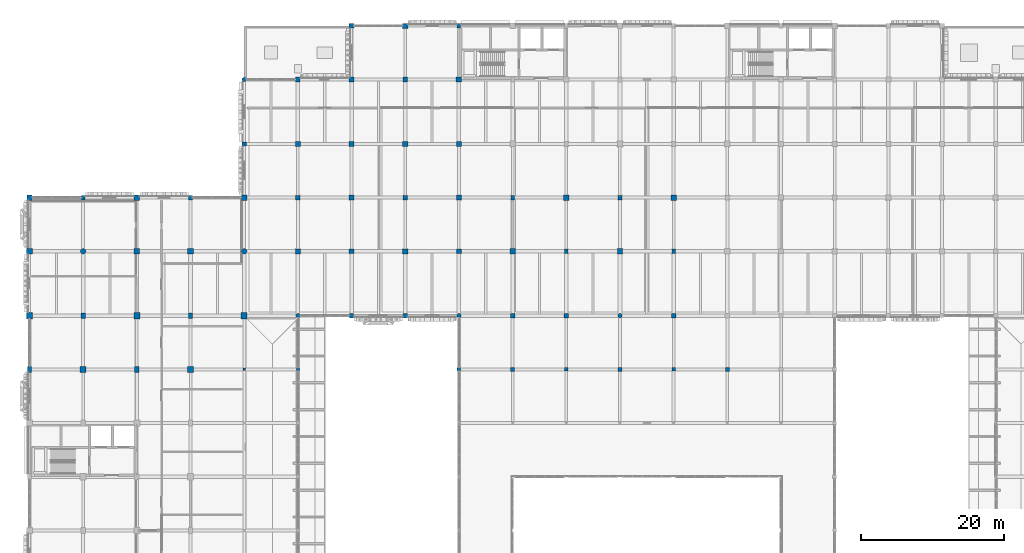
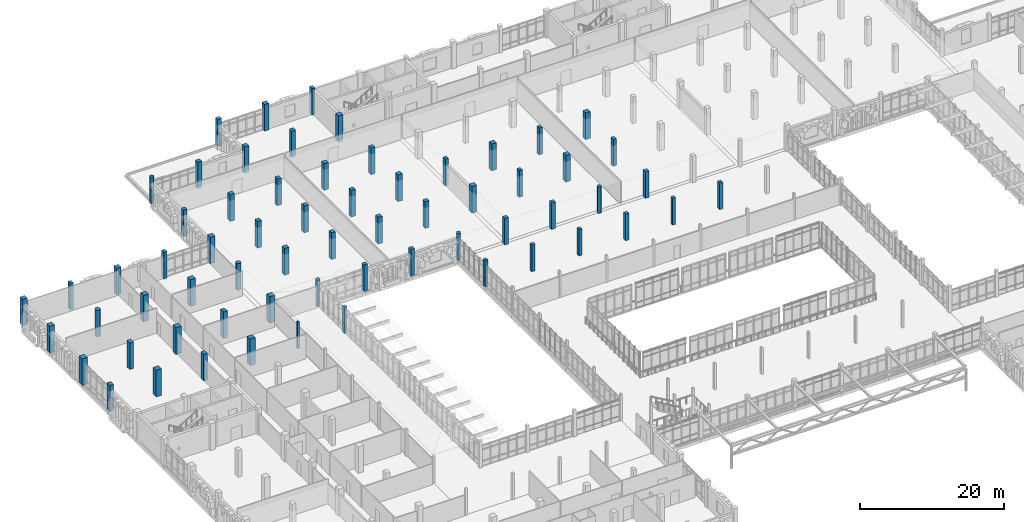
# One storey, part 9 of 128: 64 columns.
"""IFC4 building model written with IfcOpenShell, lengths in metres."""

from ifc_helpers import new_model, si_unit, direction, frame, origin, origin_2d, place, context, subcontext, project, spatial, rectangle, circle, extrude, material, material_profile, profile_set, type_object, element, save


model = new_model("IFC4")

# Units and contexts
model_context = context("Model", 3, precision=1e-05, world=origin(), true_north=direction((0.0, 1.0)))
body_context = subcontext(model_context, "Body", "Model", "MODEL_VIEW")
ifc_project = project(units=[si_unit("LENGTHUNIT", "METRE"), si_unit("AREAUNIT", "SQUARE_METRE"), si_unit("VOLUMEUNIT", "CUBIC_METRE"), si_unit("PLANEANGLEUNIT", "RADIAN"), si_unit("MASSUNIT", "GRAM", prefix="KILO")], contexts=[model_context])

# Site, building, storey
site_placement = place(None, origin())
site = spatial("IfcSite", under=ifc_project, at=site_placement, CompositionType="ELEMENT")
building_placement = place(site_placement, origin())
building = spatial("IfcBuilding", under=site, at=building_placement, Name="Dalvernix Boulevard General Hospital", CompositionType="ELEMENT")
storey_placement = place(building_placement, frame((0.0, 0.0, 4.800048828125)))
storey = spatial("IfcBuildingStorey", under=building, at=storey_placement, Name="L01", CompositionType="ELEMENT", Elevation=4.800048828125)

# Columns
ifc_material_1 = material(Name="Concrete C40/50", Category="concrete")
ifc_material_profile_1 = material_profile(ifc_material_1, rectangle(XDim=0.85009765625, YDim=0.85009765625, at=origin_2d()), Name="RC 850x850")
ifc_profile_set_1 = profile_set([ifc_material_profile_1], Name="Concrete C40/50")
column_type_1 = type_object("IfcColumnType", Name="COL-C-02-E", PredefinedType="COLUMN", material=ifc_profile_set_1)
column_1_placement = place(storey_placement, frame((0.0, 76.5, 0.0), z_axis=(0.0, 0.0, 1.0), x_axis=(1.0, 0.0, 0.0)))
element("IfcColumn", 1, at=column_1_placement, inside=storey, type_object=column_type_1, Name="L01 column 1L", PredefinedType="COLUMN", context=body_context, shape_type="SweptSolid", body=[
    extrude(rectangle(XDim=0.85009765625, YDim=0.85009765625, at=origin_2d()), origin(), (0.0, 0.0, 1.0), 4.5),
])
ifc_material_profile_2 = material_profile(ifc_material_1, rectangle(XDim=0.85009765625, YDim=0.85009765625, at=origin_2d()), Name="RC 850x850")
ifc_profile_set_2 = profile_set([ifc_material_profile_2], Name="Concrete C40/50")
column_type_2 = type_object("IfcColumnType", Name="COL-C-02-I", PredefinedType="COLUMN", material=ifc_profile_set_2)
for number, where, z_axis, x_axis, name in (
    (2, (7.5, 69.0, 0.0), (0.0, 0.0, 1.0), (1.0, 0.0, 0.0), "L01 column 2K"),
    (3, (15.0, 76.5, 0.0), (0.0, 0.0, 1.0), (1.0, 0.0, 0.0), "L01 column 3L"),
    (4, (22.5, 69.0, 0.0), (0.0, 0.0, 1.0), (1.0, 0.0, 0.0), "L01 column 4K"),
    (5, (30.0, 76.5, 0.0), (0.0, 0.0, 1.0), (1.0, 0.0, 0.0), "L01 column 5L"),
):
    element("IfcColumn", number, at=place(storey_placement, frame(where, z_axis=z_axis, x_axis=x_axis)), inside=storey, type_object=column_type_2, Name=name, PredefinedType="COLUMN", context=body_context, shape_type="SweptSolid", body=[
        extrude(rectangle(XDim=0.85009765625, YDim=0.85009765625, at=origin_2d()), origin(), (0.0, 0.0, 1.0), 4.5),
    ])
ifc_material_profile_3 = material_profile(ifc_material_1, rectangle(XDim=0.800048828125, YDim=0.800048828125, at=origin_2d()), Name="RC 800x800")
ifc_profile_set_3 = profile_set([ifc_material_profile_3], Name="Concrete C40/50")
column_type_3 = type_object("IfcColumnType", Name="COL-C-03-E", PredefinedType="COLUMN", material=ifc_profile_set_3)
column_2_placement = place(storey_placement, frame((0.0, 85.5, 0.0), z_axis=(0.0, 0.0, 1.0), x_axis=(1.0, 0.0, 0.0)))
element("IfcColumn", 6, at=column_2_placement, inside=storey, type_object=column_type_3, Name="L01 column 1M", PredefinedType="COLUMN", context=body_context, shape_type="SweptSolid", body=[
    extrude(rectangle(XDim=0.800048828125, YDim=0.800048828125, at=origin_2d()), origin(), (0.0, 0.0, 1.0), 4.5),
])
ifc_material_profile_4 = material_profile(ifc_material_1, rectangle(XDim=0.800048828125, YDim=0.800048828125, at=origin_2d()), Name="RC 800x800")
ifc_profile_set_4 = profile_set([ifc_material_profile_4], Name="Concrete C40/50")
column_type_4 = type_object("IfcColumnType", Name="COL-C-03-I", PredefinedType="COLUMN", material=ifc_profile_set_4)
for number, where, z_axis, x_axis, name in (
    (7, (15.0, 85.5, 0.0), (0.0, 0.0, 1.0), (1.0, 0.0, 0.0), "L01 column 3M"),
    (8, (22.5, 85.5, 0.0), (0.0, 0.0, 1.0), (1.0, 0.0, 0.0), "L01 column 4M"),
):
    element("IfcColumn", number, at=place(storey_placement, frame(where, z_axis=z_axis, x_axis=x_axis)), inside=storey, type_object=column_type_4, Name=name, PredefinedType="COLUMN", context=body_context, shape_type="SweptSolid", body=[
        extrude(rectangle(XDim=0.800048828125, YDim=0.800048828125, at=origin_2d()), origin(), (0.0, 0.0, 1.0), 4.5),
    ])
ifc_material_profile_5 = material_profile(ifc_material_1, rectangle(XDim=0.75, YDim=0.75, at=origin_2d()), Name="RC 750x750")
ifc_profile_set_5 = profile_set([ifc_material_profile_5], Name="Concrete C40/50")
column_type_5 = type_object("IfcColumnType", Name="COL-C-04-E", PredefinedType="COLUMN", material=ifc_profile_set_5)
for number, where, z_axis, x_axis, name in (
    (9, (0.0, 93.0, 0.0), (0.0, 0.0, 1.0), (1.0, 0.0, 0.0), "L01 column 1N"),
    (10, (15.0, 93.0, 0.0), (0.0, 0.0, 1.0), (1.0, 0.0, 0.0), "L01 column 3N"),
    (11, (30.0, 93.0, 0.0), (0.0, 0.0, 1.0), (1.0, 0.0, 0.0), "L01 column 5N"),
):
    element("IfcColumn", number, at=place(storey_placement, frame(where, z_axis=z_axis, x_axis=x_axis)), inside=storey, type_object=column_type_5, Name=name, PredefinedType="COLUMN", context=body_context, shape_type="SweptSolid", body=[
        extrude(rectangle(XDim=0.75, YDim=0.75, at=origin_2d()), origin(), (0.0, 0.0, 1.0), 4.5),
    ])
ifc_material_profile_6 = material_profile(ifc_material_1, rectangle(XDim=0.75, YDim=0.75, at=origin_2d()), Name="RC 750x750")
ifc_profile_set_6 = profile_set([ifc_material_profile_6], Name="Concrete C40/50")
column_type_6 = type_object("IfcColumnType", Name="COL-C-04-I", PredefinedType="COLUMN", material=ifc_profile_set_6)
for number, where, z_axis, x_axis, name in (
    (12, (60.0, 109.5, 0.0), (0.0, 0.0, 1.0), (1.0, 0.0, 0.0), "L01 column 9Q"),
    (13, (67.5, 85.5, 0.0), (0.0, 0.0, 1.0), (1.0, 0.0, 0.0), "L01 column 10M"),
    (14, (75.0, 93.0, 0.0), (0.0, 0.0, 1.0), (1.0, 0.0, 0.0), "L01 column 11N"),
    (15, (82.5, 85.5, 0.0), (0.0, 0.0, 1.0), (1.0, 0.0, 0.0), "L01 column 12M"),
    (16, (90.0, 93.0, 0.0), (0.0, 0.0, 1.0), (1.0, 0.0, 0.0), "L01 column 13N"),
):
    element("IfcColumn", number, at=place(storey_placement, frame(where, z_axis=z_axis, x_axis=x_axis)), inside=storey, type_object=column_type_6, Name=name, PredefinedType="COLUMN", context=body_context, shape_type="SweptSolid", body=[
        extrude(rectangle(XDim=0.75, YDim=0.75, at=origin_2d()), origin(), (0.0, 0.0, 1.0), 4.5),
    ])
ifc_material_profile_7 = material_profile(ifc_material_1, rectangle(XDim=0.699951171875, YDim=0.699951171875, at=origin_2d()), Name="RC 700x700")
ifc_profile_set_7 = profile_set([ifc_material_profile_7], Name="Concrete C40/50")
column_type_7 = type_object("IfcColumnType", Name="COL-C-05-E", PredefinedType="COLUMN", material=ifc_profile_set_7)
for number, where, z_axis, x_axis, name in (
    (17, (45.0, 109.5, 0.0), (0.0, 0.0, 1.0), (1.0, 0.0, 0.0), "L01 column 7Q"),
    (18, (52.5, 117.0, 0.0), (0.0, 0.0, 1.0), (1.0, 0.0, 0.0), "L01 column 8R"),
):
    element("IfcColumn", number, at=place(storey_placement, frame(where, z_axis=z_axis, x_axis=x_axis)), inside=storey, type_object=column_type_7, Name=name, PredefinedType="COLUMN", context=body_context, shape_type="SweptSolid", body=[
        extrude(rectangle(XDim=0.699951171875, YDim=0.699951171875, at=origin_2d()), origin(), (0.0, 0.0, 1.0), 4.5),
    ])
ifc_material_profile_8 = material_profile(ifc_material_1, rectangle(XDim=0.699951171875, YDim=0.699951171875, at=origin_2d()), Name="RC 700x700")
ifc_profile_set_8 = profile_set([ifc_material_profile_8], Name="Concrete C40/50")
column_type_8 = type_object("IfcColumnType", Name="COL-C-05-I", PredefinedType="COLUMN", material=ifc_profile_set_8)
for number, where, z_axis, x_axis, name in (
    (19, (37.5, 85.5, 0.0), (0.0, 0.0, 1.0), (1.0, 0.0, 0.0), "L01 column 6M"),
    (20, (37.5, 100.5, 0.0), (0.0, 0.0, 1.0), (1.0, 0.0, 0.0), "L01 column 6P"),
    (21, (45.0, 93.0, 0.0), (0.0, 0.0, 1.0), (1.0, 0.0, 0.0), "L01 column 7N"),
    (22, (52.5, 85.5, 0.0), (0.0, 0.0, 1.0), (1.0, 0.0, 0.0), "L01 column 8M"),
    (23, (52.5, 100.5, 0.0), (0.0, 0.0, 1.0), (1.0, 0.0, 0.0), "L01 column 8P"),
    (24, (60.0, 93.0, 0.0), (0.0, 0.0, 1.0), (1.0, 0.0, 0.0), "L01 column 9N"),
):
    element("IfcColumn", number, at=place(storey_placement, frame(where, z_axis=z_axis, x_axis=x_axis)), inside=storey, type_object=column_type_8, Name=name, PredefinedType="COLUMN", context=body_context, shape_type="SweptSolid", body=[
        extrude(rectangle(XDim=0.699951171875, YDim=0.699951171875, at=origin_2d()), origin(), (0.0, 0.0, 1.0), 4.5),
    ])
ifc_material_profile_9 = material_profile(ifc_material_1, rectangle(XDim=0.64990234375, YDim=0.64990234375, at=origin_2d()), Name="RC 650x650")
ifc_profile_set_9 = profile_set([ifc_material_profile_9], Name="Concrete C40/50")
column_type_9 = type_object("IfcColumnType", Name="COL-C-06-E", PredefinedType="COLUMN", material=ifc_profile_set_9)
for number, where, z_axis, x_axis, name in (
    (25, (37.5, 109.5, 0.0), (0.0, 0.0, 1.0), (1.0, 0.0, 0.0), "L01 column 6Q"),
    (26, (45.0, 117.0, 0.0), (0.0, 0.0, 1.0), (1.0, 0.0, 0.0), "L01 column 7R"),
):
    element("IfcColumn", number, at=place(storey_placement, frame(where, z_axis=z_axis, x_axis=x_axis)), inside=storey, type_object=column_type_9, Name=name, PredefinedType="COLUMN", context=body_context, shape_type="SweptSolid", body=[
        extrude(rectangle(XDim=0.64990234375, YDim=0.64990234375, at=origin_2d()), origin(), (0.0, 0.0, 1.0), 4.5),
    ])
ifc_material_profile_10 = material_profile(ifc_material_1, rectangle(XDim=0.64990234375, YDim=0.64990234375, at=origin_2d()), Name="RC 650x650")
ifc_profile_set_10 = profile_set([ifc_material_profile_10], Name="Concrete C40/50")
column_type_10 = type_object("IfcColumnType", Name="COL-C-06-I", PredefinedType="COLUMN", material=ifc_profile_set_10)
for number, where, z_axis, x_axis, name in (
    (27, (37.5, 93.0, 0.0), (0.0, 0.0, 1.0), (1.0, 0.0, 0.0), "L01 column 6N"),
    (28, (45.0, 85.5, 0.0), (0.0, 0.0, 1.0), (1.0, 0.0, 0.0), "L01 column 7M"),
    (29, (45.0, 100.5, 0.0), (0.0, 0.0, 1.0), (1.0, 0.0, 0.0), "L01 column 7P"),
    (30, (52.5, 93.0, 0.0), (0.0, 0.0, 1.0), (1.0, 0.0, 0.0), "L01 column 8N"),
    (31, (52.5, 109.5, 0.0), (0.0, 0.0, 1.0), (1.0, 0.0, 0.0), "L01 column 8Q"),
    (32, (60.0, 85.5, 0.0), (0.0, 0.0, 1.0), (1.0, 0.0, 0.0), "L01 column 9M"),
    (33, (60.0, 100.5, 0.0), (0.0, 0.0, 1.0), (1.0, 0.0, 0.0), "L01 column 9P"),
):
    element("IfcColumn", number, at=place(storey_placement, frame(where, z_axis=z_axis, x_axis=x_axis)), inside=storey, type_object=column_type_10, Name=name, PredefinedType="COLUMN", context=body_context, shape_type="SweptSolid", body=[
        extrude(rectangle(XDim=0.64990234375, YDim=0.64990234375, at=origin_2d()), origin(), (0.0, 0.0, 1.0), 4.5),
    ])
ifc_material_profile_11 = material_profile(ifc_material_1, rectangle(XDim=0.60009765625, YDim=0.60009765625, at=origin_2d()), Name="RC 600x600")
ifc_profile_set_11 = profile_set([ifc_material_profile_11], Name="Concrete C40/50")
column_type_11 = type_object("IfcColumnType", Name="COL-C-07-E", PredefinedType="COLUMN", material=ifc_profile_set_11)
for number, where, z_axis, x_axis, name in (
    (34, (30.0, 100.5, 0.0), (0.0, 0.0, 1.0), (1.0, 0.0, 0.0), "L01 column 5P"),
    (35, (45.0, 76.5, 0.0), (0.0, 0.0, 1.0), (1.0, 0.0, 0.0), "L01 column 7L"),
    (36, (52.5, 76.5, 0.0), (0.0, 0.0, 1.0), (1.0, 0.0, 0.0), "L01 column 8L"),
):
    element("IfcColumn", number, at=place(storey_placement, frame(where, z_axis=z_axis, x_axis=x_axis)), inside=storey, type_object=column_type_11, Name=name, PredefinedType="COLUMN", context=body_context, shape_type="SweptSolid", body=[
        extrude(rectangle(XDim=0.60009765625, YDim=0.60009765625, at=origin_2d()), origin(), (0.0, 0.0, 1.0), 4.5),
    ])
ifc_material_profile_12 = material_profile(ifc_material_1, rectangle(XDim=0.60009765625, YDim=0.60009765625, at=origin_2d()), Name="RC 600x600")
ifc_profile_set_12 = profile_set([ifc_material_profile_12], Name="Concrete C40/50")
column_type_12 = type_object("IfcColumnType", Name="COL-C-07-I", PredefinedType="COLUMN", material=ifc_profile_set_12)
for number, where, z_axis, x_axis, name in (
    (37, (67.5, 76.5, 0.0), (0.0, 0.0, 1.0), (1.0, 0.0, 0.0), "L01 column 10L"),
    (38, (75.0, 76.5, 0.0), (0.0, 0.0, 1.0), (1.0, 0.0, 0.0), "L01 column 11L"),
    (39, (90.0, 76.5, 0.0), (0.0, 0.0, 1.0), (1.0, 0.0, 0.0), "L01 column 13L"),
):
    element("IfcColumn", number, at=place(storey_placement, frame(where, z_axis=z_axis, x_axis=x_axis)), inside=storey, type_object=column_type_12, Name=name, PredefinedType="COLUMN", context=body_context, shape_type="SweptSolid", body=[
        extrude(rectangle(XDim=0.60009765625, YDim=0.60009765625, at=origin_2d()), origin(), (0.0, 0.0, 1.0), 4.5),
    ])
ifc_material_profile_13 = material_profile(ifc_material_1, rectangle(XDim=0.550048828125, YDim=0.550048828125, at=origin_2d()), Name="RC 550x550")
ifc_profile_set_13 = profile_set([ifc_material_profile_13], Name="Concrete C40/50")
column_type_13 = type_object("IfcColumnType", Name="COL-C-08-I", PredefinedType="COLUMN", material=ifc_profile_set_13)
for number, where, z_axis, x_axis, name in (
    (40, (67.5, 69.0, 0.0), (0.0, 0.0, 1.0), (1.0, 0.0, 0.0), "L01 column 10K"),
    (41, (82.5, 69.0, 0.0), (0.0, 0.0, 1.0), (1.0, 0.0, 0.0), "L01 column 12K"),
    (42, (97.5, 69.0, 0.0), (0.0, 0.0, 1.0), (1.0, 0.0, 0.0), "L01 column 14K"),
):
    element("IfcColumn", number, at=place(storey_placement, frame(where, z_axis=z_axis, x_axis=x_axis)), inside=storey, type_object=column_type_13, Name=name, PredefinedType="COLUMN", context=body_context, shape_type="SweptSolid", body=[
        extrude(rectangle(XDim=0.550048828125, YDim=0.550048828125, at=origin_2d()), origin(), (0.0, 0.0, 1.0), 4.5),
    ])
ifc_material_profile_14 = material_profile(ifc_material_1, rectangle(XDim=0.5, YDim=0.5, at=origin_2d()), Name="RC 500x500")
ifc_profile_set_14 = profile_set([ifc_material_profile_14], Name="Concrete C40/50")
column_type_14 = type_object("IfcColumnType", Name="COL-C-09-E", PredefinedType="COLUMN", material=ifc_profile_set_14)
column_3_placement = place(storey_placement, frame((60.0, 69.0, 0.0), z_axis=(0.0, 0.0, 1.0), x_axis=(1.0, 0.0, 0.0)))
element("IfcColumn", 43, at=column_3_placement, inside=storey, type_object=column_type_14, Name="L01 column 9K", PredefinedType="COLUMN", context=body_context, shape_type="SweptSolid", body=[
    extrude(rectangle(XDim=0.5, YDim=0.5, at=origin_2d()), origin(), (0.0, 0.0, 1.0), 4.5),
])
ifc_material_profile_15 = material_profile(ifc_material_1, rectangle(XDim=0.5, YDim=0.5, at=origin_2d()), Name="RC 500x500")
ifc_profile_set_15 = profile_set([ifc_material_profile_15], Name="Concrete C40/50")
column_type_15 = type_object("IfcColumnType", Name="COL-C-09-I", PredefinedType="COLUMN", material=ifc_profile_set_15)
for number, where, z_axis, x_axis, name in (
    (44, (75.0, 69.0, 0.0), (0.0, 0.0, 1.0), (1.0, 0.0, 0.0), "L01 column 11K"),
    (45, (90.0, 69.0, 0.0), (0.0, 0.0, 1.0), (1.0, 0.0, 0.0), "L01 column 13K"),
):
    element("IfcColumn", number, at=place(storey_placement, frame(where, z_axis=z_axis, x_axis=x_axis)), inside=storey, type_object=column_type_15, Name=name, PredefinedType="COLUMN", context=body_context, shape_type="SweptSolid", body=[
        extrude(rectangle(XDim=0.5, YDim=0.5, at=origin_2d()), origin(), (0.0, 0.0, 1.0), 4.5),
    ])
ifc_material_profile_16 = material_profile(ifc_material_1, rectangle(XDim=0.449951171875, YDim=0.449951171875, at=origin_2d()), Name="RC 450x450")
ifc_profile_set_16 = profile_set([ifc_material_profile_16], Name="Concrete C40/50")
column_type_16 = type_object("IfcColumnType", Name="COL-C-10-E", PredefinedType="COLUMN", material=ifc_profile_set_16)
column_4_placement = place(storey_placement, frame((37.5, 69.0, 0.0), z_axis=(0.0, 0.0, 1.0), x_axis=(1.0, 0.0, 0.0)))
element("IfcColumn", 46, at=column_4_placement, inside=storey, type_object=column_type_16, Name="L01 column 6K", PredefinedType="COLUMN", context=body_context, shape_type="SweptSolid", body=[
    extrude(rectangle(XDim=0.449951171875, YDim=0.449951171875, at=origin_2d()), origin(), (0.0, 0.0, 1.0), 4.5),
])
ifc_material_profile_17 = material_profile(ifc_material_1, rectangle(XDim=0.60009765625, YDim=0.800048828125, at=origin_2d()), Name="RC 600x800")
ifc_profile_set_17 = profile_set([ifc_material_profile_17], Name="Concrete C40/50")
column_type_17 = type_object("IfcColumnType", Name="COL-C-11-E", PredefinedType="COLUMN", material=ifc_profile_set_17)
column_5_placement = place(storey_placement, frame((0.0, 69.0, 0.0), z_axis=(0.0, 0.0, 1.0), x_axis=(1.0, 0.0, 0.0)))
element("IfcColumn", 47, at=column_5_placement, inside=storey, type_object=column_type_17, Name="L01 column 1K", PredefinedType="COLUMN", context=body_context, shape_type="SweptSolid", body=[
    extrude(rectangle(XDim=0.60009765625, YDim=0.800048828125, at=origin_2d()), origin(), (0.0, 0.0, 1.0), 4.5),
])
ifc_material_profile_18 = material_profile(ifc_material_1, rectangle(XDim=0.60009765625, YDim=0.800048828125, at=origin_2d()), Name="RC 600x800")
ifc_profile_set_18 = profile_set([ifc_material_profile_18], Name="Concrete C40/50")
column_type_18 = type_object("IfcColumnType", Name="COL-C-11-I", PredefinedType="COLUMN", material=ifc_profile_set_18)
for number, where, z_axis, x_axis, name in (
    (48, (7.5, 76.5, 0.0), (0.0, 0.0, 1.0), (1.0, 0.0, 0.0), "L01 column 2L"),
    (49, (15.0, 69.0, 0.0), (0.0, 0.0, 1.0), (1.0, 0.0, 0.0), "L01 column 3K"),
    (50, (22.5, 76.5, 0.0), (0.0, 0.0, 1.0), (1.0, 0.0, 0.0), "L01 column 4L"),
):
    element("IfcColumn", number, at=place(storey_placement, frame(where, z_axis=z_axis, x_axis=x_axis)), inside=storey, type_object=column_type_18, Name=name, PredefinedType="COLUMN", context=body_context, shape_type="SweptSolid", body=[
        extrude(rectangle(XDim=0.60009765625, YDim=0.800048828125, at=origin_2d()), origin(), (0.0, 0.0, 1.0), 4.5),
    ])
ifc_material_profile_19 = material_profile(ifc_material_1, rectangle(XDim=0.5, YDim=0.64990234375, at=origin_2d()), Name="RC 500x650")
ifc_profile_set_19 = profile_set([ifc_material_profile_19], Name="Concrete C40/50")
column_type_19 = type_object("IfcColumnType", Name="COL-C-12-E", PredefinedType="COLUMN", material=ifc_profile_set_19)
for number, where, z_axis, x_axis, name in (
    (51, (7.5, 93.0, 0.0), (0.0, 0.0, 1.0), (1.0, 0.0, 0.0), "L01 column 2N"),
    (52, (22.5, 93.0, 0.0), (0.0, 0.0, 1.0), (1.0, 0.0, 0.0), "L01 column 4N"),
    (53, (60.0, 117.0, 0.0), (0.0, 0.0, 1.0), (1.0, 0.0, 0.0), "L01 column 9R"),
):
    element("IfcColumn", number, at=place(storey_placement, frame(where, z_axis=z_axis, x_axis=x_axis)), inside=storey, type_object=column_type_19, Name=name, PredefinedType="COLUMN", context=body_context, shape_type="SweptSolid", body=[
        extrude(rectangle(XDim=0.5, YDim=0.64990234375, at=origin_2d()), origin(), (0.0, 0.0, 1.0), 4.5),
    ])
ifc_material_profile_20 = material_profile(ifc_material_1, rectangle(XDim=0.5, YDim=0.64990234375, at=origin_2d()), Name="RC 500x650")
ifc_profile_set_20 = profile_set([ifc_material_profile_20], Name="Concrete C40/50")
column_type_20 = type_object("IfcColumnType", Name="COL-C-12-I", PredefinedType="COLUMN", material=ifc_profile_set_20)
for number, where, z_axis, x_axis, name in (
    (54, (67.5, 93.0, 0.0), (0.0, 0.0, 1.0), (1.0, 0.0, 0.0), "L01 column 10N"),
    (55, (75.0, 85.5, 0.0), (0.0, 0.0, 1.0), (1.0, 0.0, 0.0), "L01 column 11M"),
    (56, (82.5, 93.0, 0.0), (0.0, 0.0, 1.0), (1.0, 0.0, 0.0), "L01 column 12N"),
    (57, (90.0, 85.5, 0.0), (0.0, 0.0, 1.0), (1.0, 0.0, 0.0), "L01 column 13M"),
):
    element("IfcColumn", number, at=place(storey_placement, frame(where, z_axis=z_axis, x_axis=x_axis)), inside=storey, type_object=column_type_20, Name=name, PredefinedType="COLUMN", context=body_context, shape_type="SweptSolid", body=[
        extrude(rectangle(XDim=0.5, YDim=0.64990234375, at=origin_2d()), origin(), (0.0, 0.0, 1.0), 4.5),
    ])
ifc_material_profile_21 = material_profile(ifc_material_1, circle(Radius=0.375, at=origin_2d()), Name="RC D750")
ifc_profile_set_21 = profile_set([ifc_material_profile_21], Name="Concrete C40/50")
column_type_21 = type_object("IfcColumnType", Name="COL-C-14-I", PredefinedType="COLUMN", material=ifc_profile_set_21)
for number, where, z_axis, x_axis, name in (
    (58, (7.5, 85.5, 0.0), (0.0, 0.0, 1.0), (1.0, 0.0, 0.0), "L01 column 2M"),
    (59, (30.0, 85.5, 0.0), (0.0, 0.0, 1.0), (1.0, 0.0, 0.0), "L01 column 5M"),
):
    element("IfcColumn", number, at=place(storey_placement, frame(where, z_axis=z_axis, x_axis=x_axis)), inside=storey, type_object=column_type_21, Name=name, PredefinedType="COLUMN", context=body_context, shape_type="SweptSolid", body=[
        extrude(circle(Radius=0.375, at=origin_2d()), origin(), (0.0, 0.0, 1.0), 4.5),
    ])
ifc_material_profile_22 = material_profile(ifc_material_1, circle(Radius=0.300048828125, at=origin_2d()), Name="RC D600")
ifc_profile_set_22 = profile_set([ifc_material_profile_22], Name="Concrete C40/50")
column_type_22 = type_object("IfcColumnType", Name="COL-C-15-E", PredefinedType="COLUMN", material=ifc_profile_set_22)
for number, where, z_axis, x_axis, name in (
    (60, (30.0, 109.5, 0.0), (0.0, 0.0, 1.0), (1.0, 0.0, 0.0), "L01 column 5Q"),
    (61, (37.5, 76.5, 0.0), (0.0, 0.0, 1.0), (1.0, 0.0, 0.0), "L01 column 6L"),
    (62, (60.0, 76.5, 0.0), (0.0, 0.0, 1.0), (1.0, 0.0, 0.0), "L01 column 9L"),
):
    element("IfcColumn", number, at=place(storey_placement, frame(where, z_axis=z_axis, x_axis=x_axis)), inside=storey, type_object=column_type_22, Name=name, PredefinedType="COLUMN", context=body_context, shape_type="SweptSolid", body=[
        extrude(circle(Radius=0.300048828125, at=origin_2d()), origin(), (0.0, 0.0, 1.0), 4.5),
    ])
ifc_material_profile_23 = material_profile(ifc_material_1, circle(Radius=0.300048828125, at=origin_2d()), Name="RC D600")
ifc_profile_set_23 = profile_set([ifc_material_profile_23], Name="Concrete C40/50")
column_type_23 = type_object("IfcColumnType", Name="COL-C-15-I", PredefinedType="COLUMN", material=ifc_profile_set_23)
column_6_placement = place(storey_placement, frame((82.5, 76.5, 0.0), z_axis=(0.0, 0.0, 1.0), x_axis=(1.0, 0.0, 0.0)))
element("IfcColumn", 63, at=column_6_placement, inside=storey, type_object=column_type_23, Name="L01 column 12L", PredefinedType="COLUMN", context=body_context, shape_type="SweptSolid", body=[
    extrude(circle(Radius=0.300048828125, at=origin_2d()), origin(), (0.0, 0.0, 1.0), 4.5),
])
ifc_material_2 = material(Name="Glulam GL28h", Category="wood")
ifc_material_profile_24 = material_profile(ifc_material_2, rectangle(XDim=0.320068359375, YDim=0.320068359375, at=origin_2d()), Name="GL28h 320x320")
ifc_profile_set_24 = profile_set([ifc_material_profile_24], Name="Glulam GL28h")
column_type_24 = type_object("IfcColumnType", Name="COL-C-20-I", PredefinedType="COLUMN", material=ifc_profile_set_24)
column_7_placement = place(storey_placement, frame((30.0, 69.0, 0.0), z_axis=(0.0, 0.0, 1.0), x_axis=(1.0, 0.0, 0.0)))
element("IfcColumn", 64, at=column_7_placement, inside=storey, type_object=column_type_24, Name="L01 column 5K", PredefinedType="COLUMN", context=body_context, shape_type="SweptSolid", body=[
    extrude(rectangle(XDim=0.320068359375, YDim=0.320068359375, at=origin_2d()), origin(), (0.0, 0.0, 1.0), 4.5),
])

save(model, "model.ifc")
